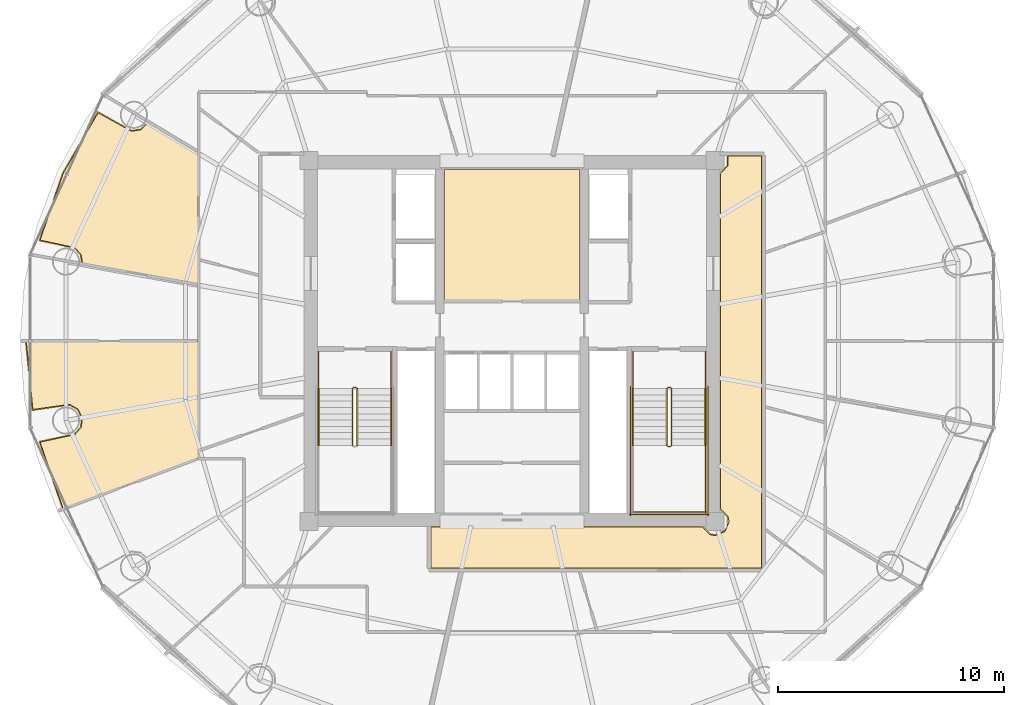
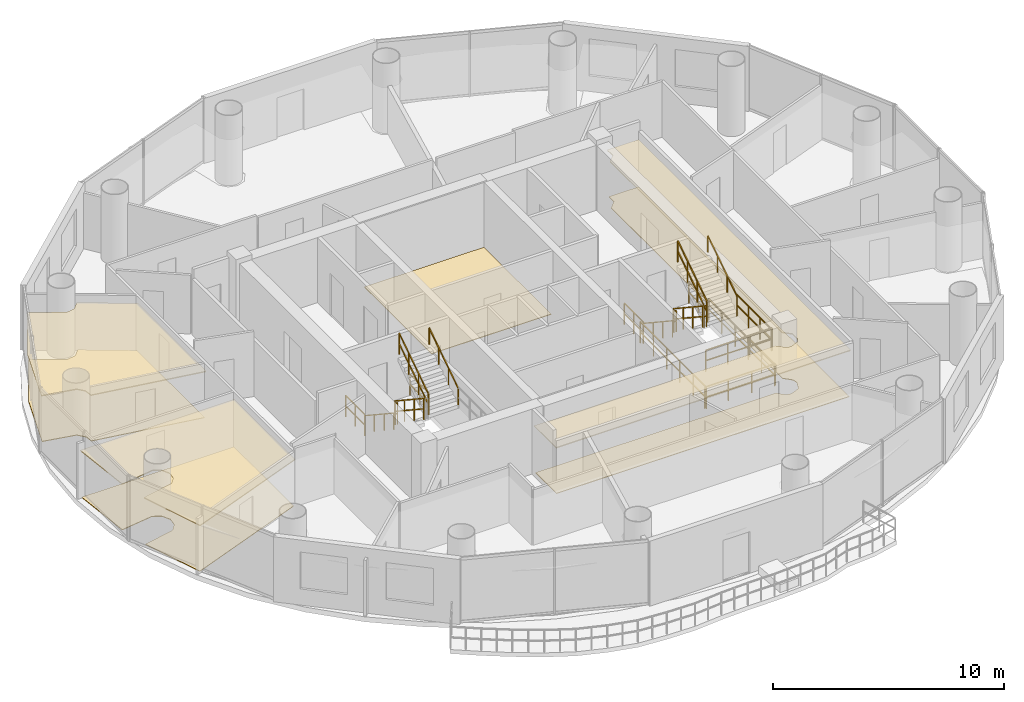
# One storey, part 25 of 26: 20 railings, 7 coverings.
"""IFC4 building model written with IfcOpenShell, lengths in metres."""

from ifc_helpers import new_model, si_unit, direction, frame, origin, origin_2d, place, context, subcontext, project, spatial, polyline, rectangle, outline, extrude, material, layer, layer_set, type_object, element, save


model = new_model("IFC4")

# Units and contexts
model_context = context("Model", 3, precision=1e-05, world=origin(), true_north=direction((-0.2419218956, 0.970295726276)))
body_context = subcontext(model_context, "Body", "Model", "MODEL_VIEW")
ifc_project = project(units=[si_unit("LENGTHUNIT", "METRE"), si_unit("AREAUNIT", "SQUARE_METRE"), si_unit("VOLUMEUNIT", "CUBIC_METRE"), si_unit("PLANEANGLEUNIT", "RADIAN"), si_unit("MASSUNIT", "GRAM", prefix="KILO")], contexts=[model_context])

# Site, building, storey
site_placement = place(None, origin())
site = spatial("IfcSite", under=ifc_project, at=site_placement, CompositionType="ELEMENT")
building_placement = place(site_placement, origin())
building = spatial("IfcBuilding", under=site, at=building_placement, Name="Cobrevalo Terracotta Tower", CompositionType="ELEMENT")
storey_placement = place(building_placement, frame((0.0, 0.0, 228.199951171875)))
storey = spatial("IfcBuildingStorey", under=building, at=storey_placement, Name="L60", CompositionType="ELEMENT", Elevation=228.199951171875)

# Coverings
ifc_material_1 = material(Name="Engineered Brazilian hardwood flooring", Category="wood")
ifc_layer_1 = layer(ifc_material_1, 0.028076171875)
ifc_layer_set_1 = layer_set([ifc_layer_1], Name="Engineered Brazilian hardwood flooring")
covering_type_1 = type_object("IfcCoveringType", Name="Engineered Hardwood Suite Flooring 28", PredefinedType="FLOORING", material=ifc_layer_set_1)
covering_1_placement = place(storey_placement, origin())
element("IfcCovering", 1, at=covering_1_placement, inside=storey, type_object=covering_type_1, Name="Flat L60A Principal Guest Bedroom floor finish", PredefinedType="FLOORING", context=body_context, shape_type="SweptSolid", body=[
    extrude(outline(polyline([(18.117919921875, 34.23095703125), (19.662109375, 36.91357421875), (21.1376953125, 36.095947265625), (21.562744140625, 36.1591796875), (21.903564453125, 36.495849609375), (24.094970703125, 35.172607421875), (24.094970703125, 29.31982421875), (18.9697265625, 30.240966796875), (18.9150390625, 30.6181640625), (18.635986328125, 30.94482421875), (17.09228515625, 31.277099609375), (18.117919921875, 34.23095703125)])), origin(), (0.0, 0.0, 1.0), 0.030029296875),
])
covering_2_placement = place(storey_placement, origin())
element("IfcCovering", 2, at=covering_2_placement, inside=storey, type_object=covering_type_1, Name="Flat L60A Principal Guest Bedroom floor finish", PredefinedType="FLOORING", context=body_context, shape_type="SweptSolid", body=[
    extrude(outline(polyline([(18.114501953125, 19.3779296875), (17.09228515625, 22.322998046875), (18.635986328125, 22.655029296875), (18.9150390625, 22.981689453125), (18.9658203125, 23.408447265625), (18.770751953125, 23.791259765625), (18.39599609375, 24.00146484375), (16.7734375, 23.76953125), (16.4814453125, 26.780029296875), (24.094970703125, 26.780029296875), (24.094970703125, 21.616455078125), (18.114501953125, 19.3779296875)])), origin(), (0.0, 0.0, 1.0), 0.030029296875),
])
ifc_material_2 = material(Name="Honed terracotta and granite tile", Category="masonry")
ifc_layer_2 = layer(ifc_material_2, 0.034912109375)
ifc_layer_set_2 = layer_set([ifc_layer_2], Name="Honed terracotta and granite tile")
covering_type_2 = type_object("IfcCoveringType", Name="Honed Terracotta & Granite Interior Flooring 35", PredefinedType="FLOORING", material=ifc_layer_set_2)
covering_3_placement = place(storey_placement, origin())
element("IfcCovering", 3, at=covering_3_placement, inside=storey, type_object=covering_type_2, Name="Floor Electrical Switchroom floor finish", PredefinedType="FLOORING", context=body_context, shape_type="SweptSolid", body=[
    extrude(outline(polyline([(35.010009765625, 34.405029296875), (40.989990234375, 34.405029296875), (40.989990234375, 28.580078125), (35.010009765625, 28.580078125), (35.010009765625, 34.405029296875)])), origin(), (0.0, 0.0, 1.0), 0.030029296875),
])
covering_4_placement = place(storey_placement, origin())
element("IfcCovering", 4, at=covering_4_placement, inside=storey, type_object=covering_type_2, Name="L60 Residential Floor Corridor 1 floor finish", PredefinedType="FLOORING", context=body_context, shape_type="SweptSolid", body=[
    extrude(outline(polyline([(34.419921875, 18.554931640625), (46.431884765625, 18.554931640625), (46.7626953125, 18.226806640625), (47.0, 18.1796875), (47.438720703125, 18.361328125), (47.620361328125, 18.800048828125), (47.5732421875, 19.037353515625), (47.2451171875, 19.3681640625), (47.2451171875, 34.23193359375), (47.5732421875, 34.5625), (47.57958984375, 35.0048828125), (49.054931640625, 35.0048828125), (49.054931640625, 16.7451171875), (34.419921875, 16.7451171875), (34.419921875, 18.554931640625)])), origin(), (0.0, 0.0, 1.0), 0.030029296875),
])
ifc_material_3 = material(Name="Acoustic perforated gypsum ceiling", Category="gypsum")
ifc_layer_3 = layer(ifc_material_3, 0.050048828125)
ifc_layer_set_3 = layer_set([ifc_layer_3], Name="Acoustic perforated gypsum ceiling")
covering_type_3 = type_object("IfcCoveringType", Name="Perforated Acoustic Gypsum Ceiling 50", PredefinedType="CEILING", material=ifc_layer_set_3)
covering_5_placement = place(storey_placement, frame((0.0, 0.0, 2.445068359375)))
element("IfcCovering", 5, at=covering_5_placement, inside=storey, type_object=covering_type_3, Name="L60 Residential Floor Corridor 1 acoustic ceiling", PredefinedType="CEILING", context=body_context, shape_type="SweptSolid", body=[
    extrude(outline(polyline([(34.375, 18.60009765625), (46.4560546875, 18.60009765625), (46.780029296875, 18.269287109375), (47.0, 18.2255859375), (47.40625, 18.393798828125), (47.53076171875, 18.580078125), (47.53076171875, 19.019775390625), (47.199951171875, 19.343994140625), (47.199951171875, 34.255859375), (47.53076171875, 34.580078125), (47.524658203125, 35.050048828125), (49.10009765625, 35.050048828125), (49.10009765625, 16.699951171875), (34.375, 16.699951171875), (34.375, 18.60009765625)])), origin(), (0.0, 0.0, 1.0), 0.050048828125),
])
covering_6_placement = place(storey_placement, frame((0.0, 0.0, 2.445068359375)))
element("IfcCovering", 6, at=covering_6_placement, inside=storey, type_object=covering_type_3, Name="Flat L60A Principal Guest Bedroom acoustic ceiling", PredefinedType="CEILING", context=body_context, shape_type="SweptSolid", body=[
    extrude(outline(polyline([(18.076904296875, 34.249755859375), (19.650146484375, 36.97314453125), (21.144287109375, 36.140625), (21.54345703125, 36.199951171875), (21.884033203125, 36.56005859375), (24.139892578125, 35.197998046875), (24.139892578125, 29.265869140625), (18.921630859375, 30.203857421875), (18.873779296875, 30.60009765625), (18.611572265625, 30.90673828125), (17.038330078125, 31.240966796875), (18.076904296875, 34.249755859375)])), origin(), (0.0, 0.0, 1.0), 0.050048828125),
])
covering_7_placement = place(storey_placement, frame((0.0, 0.0, 2.445068359375)))
element("IfcCovering", 7, at=covering_7_placement, inside=storey, type_object=covering_type_3, Name="Flat L60A Principal Guest Bedroom acoustic ceiling", PredefinedType="CEILING", context=body_context, shape_type="SweptSolid", body=[
    extrude(outline(polyline([(18.088134765625, 19.320068359375), (17.038330078125, 22.359130859375), (18.611572265625, 22.693359375), (18.873779296875, 23.0), (18.92138671875, 23.400634765625), (18.73828125, 23.760009765625), (18.386474609375, 23.957275390625), (16.73876953125, 23.717529296875), (16.43310546875, 26.824951171875), (24.139892578125, 26.824951171875), (24.139892578125, 21.58544921875), (18.088134765625, 19.320068359375)])), origin(), (0.0, 0.0, 1.0), 0.050048828125),
])

# Railings
ifc_material_4 = material(Name="Brushed stainless steel", Category="steel")
railing_type_1 = type_object("IfcRailingType", Name="Stainless Steel Stair Handrail 900", PredefinedType="HANDRAIL", material=ifc_material_4)
railing_1_placement = place(storey_placement, frame((29.425048828125, 24.699951171875, 0.18505859375)))
element("IfcRailing", 8, at=railing_1_placement, inside=storey, type_object=railing_type_1, Name="L60 ST-1 stair handrail 1", PredefinedType="HANDRAIL", context=body_context, shape_type="SweptSolid", body=[
    extrude(rectangle(XDim=0.048095703125, YDim=0.048095703125, at=origin_2d()), frame((0.0, 0.0, 0.8759765625), z_axis=(0.0, -0.834331337432, 0.55126329406), x_axis=(1.0, 0.0, 0.0)), (0.0, 0.0, 1.0), 3.0205078125),
    extrude(rectangle(XDim=0.0419921875, YDim=0.0419921875, at=origin_2d()), origin(), (0.0, 0.0, 1.0), 0.851806640625),
    extrude(rectangle(XDim=0.0419921875, YDim=0.0419921875, at=origin_2d()), frame((0.0, -0.840087890625, 0.554931640625)), (0.0, 0.0, 1.0), 0.851806640625),
    extrude(rectangle(XDim=0.0419921875, YDim=0.0419921875, at=origin_2d()), frame((0.0, -1.679931640625, 1.110107421875)), (0.0, 0.0, 1.0), 0.851806640625),
    extrude(rectangle(XDim=0.0419921875, YDim=0.0419921875, at=origin_2d()), frame((0.0, -2.52001953125, 1.6650390625)), (0.0, 0.0, 1.0), 0.851806640625),
])
railing_2_placement = place(storey_placement, frame((32.64501953125, 22.179931640625, 2.03515625)))
element("IfcRailing", 9, at=railing_2_placement, inside=storey, type_object=railing_type_1, Name="L60 ST-1 stair handrail 2", PredefinedType="HANDRAIL", context=body_context, shape_type="SweptSolid", body=[
    extrude(rectangle(XDim=0.048095703125, YDim=0.048095703125, at=origin_2d()), frame((0.0, 0.0, 0.8759765625), z_axis=(0.0, 0.83436851402, 0.551207023552), x_axis=(-1.0, 0.0, 0.0)), (0.0, 0.0, 1.0), 3.020263671875),
    extrude(rectangle(XDim=0.0419921875, YDim=0.0419921875, at=origin_2d()), origin(), (0.0, 0.0, 1.0), 0.851806640625),
    extrude(rectangle(XDim=0.0419921875, YDim=0.0419921875, at=origin_2d()), frame((0.0, 0.840087890625, 0.554931640625)), (0.0, 0.0, 1.0), 0.851806640625),
    extrude(rectangle(XDim=0.0419921875, YDim=0.0419921875, at=origin_2d()), frame((0.0, 1.679931640625, 1.10986328125)), (0.0, 0.0, 1.0), 0.851806640625),
    extrude(rectangle(XDim=0.0419921875, YDim=0.0419921875, at=origin_2d()), frame((0.0, 2.52001953125, 1.664794921875)), (0.0, 0.0, 1.0), 0.851806640625),
])
railing_3_placement = place(storey_placement, frame((43.35498046875, 24.699951171875, 0.18505859375)))
element("IfcRailing", 10, at=railing_3_placement, inside=storey, type_object=railing_type_1, Name="L60 ST-2 stair handrail 1", PredefinedType="HANDRAIL", context=body_context, shape_type="SweptSolid", body=[
    extrude(rectangle(XDim=0.048095703125, YDim=0.048095703125, at=origin_2d()), frame((0.0, 0.0, 0.8759765625), z_axis=(0.0, -0.834331337432, 0.55126329406), x_axis=(1.0, 0.0, 0.0)), (0.0, 0.0, 1.0), 3.0205078125),
    extrude(rectangle(XDim=0.0419921875, YDim=0.0419921875, at=origin_2d()), origin(), (0.0, 0.0, 1.0), 0.851806640625),
    extrude(rectangle(XDim=0.0419921875, YDim=0.0419921875, at=origin_2d()), frame((0.0, -0.840087890625, 0.554931640625)), (0.0, 0.0, 1.0), 0.851806640625),
    extrude(rectangle(XDim=0.0419921875, YDim=0.0419921875, at=origin_2d()), frame((0.0, -1.679931640625, 1.110107421875)), (0.0, 0.0, 1.0), 0.851806640625),
    extrude(rectangle(XDim=0.0419921875, YDim=0.0419921875, at=origin_2d()), frame((0.0, -2.52001953125, 1.6650390625)), (0.0, 0.0, 1.0), 0.851806640625),
])
railing_4_placement = place(storey_placement, frame((46.574951171875, 22.179931640625, 2.03515625)))
element("IfcRailing", 11, at=railing_4_placement, inside=storey, type_object=railing_type_1, Name="L60 ST-2 stair handrail 2", PredefinedType="HANDRAIL", context=body_context, shape_type="SweptSolid", body=[
    extrude(rectangle(XDim=0.048095703125, YDim=0.048095703125, at=origin_2d()), frame((0.0, 0.0, 0.8759765625), z_axis=(0.0, 0.83436851402, 0.551207023552), x_axis=(-1.0, 0.0, 0.0)), (0.0, 0.0, 1.0), 3.020263671875),
    extrude(rectangle(XDim=0.0419921875, YDim=0.0419921875, at=origin_2d()), origin(), (0.0, 0.0, 1.0), 0.851806640625),
    extrude(rectangle(XDim=0.0419921875, YDim=0.0419921875, at=origin_2d()), frame((0.0, 0.840087890625, 0.554931640625)), (0.0, 0.0, 1.0), 0.851806640625),
    extrude(rectangle(XDim=0.0419921875, YDim=0.0419921875, at=origin_2d()), frame((0.0, 1.679931640625, 1.10986328125)), (0.0, 0.0, 1.0), 0.851806640625),
    extrude(rectangle(XDim=0.0419921875, YDim=0.0419921875, at=origin_2d()), frame((0.0, 2.52001953125, 1.664794921875)), (0.0, 0.0, 1.0), 0.851806640625),
])
ifc_material_5 = material(Name="Painted galvanized steel", Category="steel")
railing_type_2 = type_object("IfcRailingType", Name="Stair Well Guard Balustrade 1150", PredefinedType="GUARDRAIL", material=ifc_material_5)
railing_5_placement = place(storey_placement, frame((30.925048828125, 24.699951171875, 0.18505859375)))
element("IfcRailing", 12, at=railing_5_placement, inside=storey, type_object=railing_type_2, Name="L60 ST-1 stair guard 1", PredefinedType="GUARDRAIL", context=body_context, shape_type="SweptSolid", body=[
    extrude(rectangle(XDim=0.048095703125, YDim=0.048095703125, at=origin_2d()), frame((0.0, 0.0, 1.1259765625), z_axis=(0.0, -0.834331337432, 0.55126329406), x_axis=(1.0, 0.0, 0.0)), (0.0, 0.0, 1.0), 3.0205078125),
    extrude(rectangle(XDim=0.048095703125, YDim=0.048095703125, at=origin_2d()), frame((0.0, 0.0, 0.574951171875), z_axis=(0.0, -0.834331337432, 0.55126329406), x_axis=(1.0, 0.0, 0.0)), (0.0, 0.0, 1.0), 3.0205078125),
    extrude(rectangle(XDim=0.0419921875, YDim=0.0419921875, at=origin_2d()), origin(), (0.0, 0.0, 1.0), 1.101806640625),
    extrude(rectangle(XDim=0.0419921875, YDim=0.0419921875, at=origin_2d()), frame((0.0, -0.840087890625, 0.554931640625)), (0.0, 0.0, 1.0), 1.101806640625),
    extrude(rectangle(XDim=0.0419921875, YDim=0.0419921875, at=origin_2d()), frame((0.0, -1.679931640625, 1.110107421875)), (0.0, 0.0, 1.0), 1.101806640625),
    extrude(rectangle(XDim=0.0419921875, YDim=0.0419921875, at=origin_2d()), frame((0.0, -2.52001953125, 1.6650390625)), (0.0, 0.0, 1.0), 1.101806640625),
])
railing_6_placement = place(storey_placement, frame((31.14501953125, 22.179931640625, 2.03515625)))
element("IfcRailing", 13, at=railing_6_placement, inside=storey, type_object=railing_type_2, Name="L60 ST-1 stair guard 6", PredefinedType="GUARDRAIL", context=body_context, shape_type="SweptSolid", body=[
    extrude(rectangle(XDim=0.048095703125, YDim=0.048095703125, at=origin_2d()), frame((0.0, 0.0, 1.1259765625), z_axis=(0.0, 0.83436851402, 0.551207023552), x_axis=(-1.0, 0.0, 0.0)), (0.0, 0.0, 1.0), 3.020263671875),
    extrude(rectangle(XDim=0.048095703125, YDim=0.048095703125, at=origin_2d()), frame((0.0, 0.0, 0.574951171875), z_axis=(0.0, 0.83436851402, 0.551207023552), x_axis=(-1.0, 0.0, 0.0)), (0.0, 0.0, 1.0), 3.020263671875),
    extrude(rectangle(XDim=0.0419921875, YDim=0.0419921875, at=origin_2d()), origin(), (0.0, 0.0, 1.0), 1.101806640625),
    extrude(rectangle(XDim=0.0419921875, YDim=0.0419921875, at=origin_2d()), frame((0.0, 0.840087890625, 0.554931640625)), (0.0, 0.0, 1.0), 1.101806640625),
    extrude(rectangle(XDim=0.0419921875, YDim=0.0419921875, at=origin_2d()), frame((0.0, 1.679931640625, 1.10986328125)), (0.0, 0.0, 1.0), 1.101806640625),
    extrude(rectangle(XDim=0.0419921875, YDim=0.0419921875, at=origin_2d()), frame((0.0, 2.52001953125, 1.664794921875)), (0.0, 0.0, 1.0), 1.101806640625),
])
railing_7_placement = place(storey_placement, frame((30.97509765625, 24.75, 0.0)))
element("IfcRailing", 14, at=railing_7_placement, inside=storey, type_object=railing_type_2, Name="L60 ST-1 stair guard 7", PredefinedType="GUARDRAIL", context=body_context, shape_type="SweptSolid", body=[
    extrude(rectangle(XDim=0.048095703125, YDim=0.048095703125, at=origin_2d()), frame((0.0, 0.0, 1.1259765625), z_axis=(1.0, 0.0, 0.0), x_axis=(0.0, 1.0, 0.0)), (0.0, 0.0, 1.0), 0.119873046875),
    extrude(rectangle(XDim=0.048095703125, YDim=0.048095703125, at=origin_2d()), frame((0.0, 0.0, 0.574951171875), z_axis=(1.0, 0.0, 0.0), x_axis=(0.0, 1.0, 0.0)), (0.0, 0.0, 1.0), 0.119873046875),
    extrude(rectangle(XDim=0.0419921875, YDim=0.0419921875, at=origin_2d()), origin(), (0.0, 0.0, 1.0), 1.101806640625),
    extrude(rectangle(XDim=0.0419921875, YDim=0.0419921875, at=origin_2d()), frame((0.119873046875, 0.0, 0.0)), (0.0, 0.0, 1.0), 1.101806640625),
])
for number, where, name in (
    (15, (29.425048828125, 26.35009765625, 0.0), "L60 ST-1 stair guard 8"),
    (16, (32.64501953125, 26.35009765625, 0.0), "L60 ST-1 stair guard 9"),
):
    element("IfcRailing", number, at=place(storey_placement, frame(where)), inside=storey, type_object=railing_type_2, Name=name, PredefinedType="GUARDRAIL", context=body_context, shape_type="SweptSolid", body=[
        extrude(rectangle(XDim=0.048095703125, YDim=0.048095703125, at=origin_2d()), frame((0.0, 0.0, 1.1259765625), z_axis=(0.0, -1.0, 0.0), x_axis=(1.0, 0.0, 0.0)), (0.0, 0.0, 1.0), 1.650146484375),
        extrude(rectangle(XDim=0.048095703125, YDim=0.048095703125, at=origin_2d()), frame((0.0, 0.0, 0.574951171875), z_axis=(0.0, -1.0, 0.0), x_axis=(1.0, 0.0, 0.0)), (0.0, 0.0, 1.0), 1.650146484375),
        extrude(rectangle(XDim=0.0419921875, YDim=0.0419921875, at=origin_2d()), origin(), (0.0, 0.0, 1.0), 1.101806640625),
        extrude(rectangle(XDim=0.0419921875, YDim=0.0419921875, at=origin_2d()), frame((0.0, -0.8251953125, 0.0)), (0.0, 0.0, 1.0), 1.101806640625),
        extrude(rectangle(XDim=0.0419921875, YDim=0.0419921875, at=origin_2d()), frame((0.0, -1.650146484375, 0.0)), (0.0, 0.0, 1.0), 1.101806640625),
    ])
railing_8_placement = place(storey_placement, frame((44.85498046875, 24.699951171875, 0.18505859375)))
element("IfcRailing", 17, at=railing_8_placement, inside=storey, type_object=railing_type_2, Name="L60 ST-2 stair guard 1", PredefinedType="GUARDRAIL", context=body_context, shape_type="SweptSolid", body=[
    extrude(rectangle(XDim=0.048095703125, YDim=0.048095703125, at=origin_2d()), frame((0.0, 0.0, 1.1259765625), z_axis=(0.0, -0.834331337432, 0.55126329406), x_axis=(1.0, 0.0, 0.0)), (0.0, 0.0, 1.0), 3.0205078125),
    extrude(rectangle(XDim=0.048095703125, YDim=0.048095703125, at=origin_2d()), frame((0.0, 0.0, 0.574951171875), z_axis=(0.0, -0.834331337432, 0.55126329406), x_axis=(1.0, 0.0, 0.0)), (0.0, 0.0, 1.0), 3.0205078125),
    extrude(rectangle(XDim=0.0419921875, YDim=0.0419921875, at=origin_2d()), origin(), (0.0, 0.0, 1.0), 1.101806640625),
    extrude(rectangle(XDim=0.0419921875, YDim=0.0419921875, at=origin_2d()), frame((0.0, -0.840087890625, 0.554931640625)), (0.0, 0.0, 1.0), 1.101806640625),
    extrude(rectangle(XDim=0.0419921875, YDim=0.0419921875, at=origin_2d()), frame((0.0, -1.679931640625, 1.110107421875)), (0.0, 0.0, 1.0), 1.101806640625),
    extrude(rectangle(XDim=0.0419921875, YDim=0.0419921875, at=origin_2d()), frame((0.0, -2.52001953125, 1.6650390625)), (0.0, 0.0, 1.0), 1.101806640625),
])
railing_9_placement = place(storey_placement, frame((44.905029296875, 22.1298828125, 1.85009765625)))
element("IfcRailing", 18, at=railing_9_placement, inside=storey, type_object=railing_type_2, Name="L60 ST-2 stair guard 2", PredefinedType="GUARDRAIL", context=body_context, shape_type="SweptSolid", body=[
    extrude(rectangle(XDim=0.048095703125, YDim=0.048095703125, at=origin_2d()), frame((0.0, 0.0, 1.1259765625), z_axis=(1.0, 0.0, 0.0), x_axis=(0.0, 1.0, 0.0)), (0.0, 0.0, 1.0), 0.119873046875),
    extrude(rectangle(XDim=0.048095703125, YDim=0.048095703125, at=origin_2d()), frame((0.0, 0.0, 0.574951171875), z_axis=(1.0, 0.0, 0.0), x_axis=(0.0, 1.0, 0.0)), (0.0, 0.0, 1.0), 0.119873046875),
    extrude(rectangle(XDim=0.0419921875, YDim=0.0419921875, at=origin_2d()), origin(), (0.0, 0.0, 1.0), 1.101806640625),
    extrude(rectangle(XDim=0.0419921875, YDim=0.0419921875, at=origin_2d()), frame((0.119873046875, 0.0, 0.0)), (0.0, 0.0, 1.0), 1.101806640625),
])
railing_10_placement = place(storey_placement, frame((46.574951171875, 22.179931640625, 1.85009765625)))
element("IfcRailing", 19, at=railing_10_placement, inside=storey, type_object=railing_type_2, Name="L60 ST-2 stair guard 4", PredefinedType="GUARDRAIL", context=body_context, shape_type="SweptSolid", body=[
    extrude(rectangle(XDim=0.048095703125, YDim=0.048095703125, at=origin_2d()), frame((0.0, 0.0, 1.1259765625), z_axis=(0.0, -1.0, 0.0), x_axis=(1.0, 0.0, 0.0)), (0.0, 0.0, 1.0), 3.0048828125),
    extrude(rectangle(XDim=0.048095703125, YDim=0.048095703125, at=origin_2d()), frame((0.0, 0.0, 0.574951171875), z_axis=(0.0, -1.0, 0.0), x_axis=(1.0, 0.0, 0.0)), (0.0, 0.0, 1.0), 3.0048828125),
    extrude(rectangle(XDim=0.0419921875, YDim=0.0419921875, at=origin_2d()), origin(), (0.0, 0.0, 1.0), 1.101806640625),
    extrude(rectangle(XDim=0.0419921875, YDim=0.0419921875, at=origin_2d()), frame((0.0, -1.001708984375, 0.0)), (0.0, 0.0, 1.0), 1.101806640625),
    extrude(rectangle(XDim=0.0419921875, YDim=0.0419921875, at=origin_2d()), frame((0.0, -2.003173828125, 0.0)), (0.0, 0.0, 1.0), 1.101806640625),
    extrude(rectangle(XDim=0.0419921875, YDim=0.0419921875, at=origin_2d()), frame((0.0, -3.0048828125, 0.0)), (0.0, 0.0, 1.0), 1.101806640625),
])
railing_11_placement = place(storey_placement, frame((43.304931640625, 19.22509765625, 1.85009765625)))
element("IfcRailing", 20, at=railing_11_placement, inside=storey, type_object=railing_type_2, Name="L60 ST-2 stair guard 5", PredefinedType="GUARDRAIL", context=body_context, shape_type="SweptSolid", body=[
    extrude(rectangle(XDim=0.048095703125, YDim=0.048095703125, at=origin_2d()), frame((0.0, 0.0, 1.1259765625), z_axis=(1.0, 0.0, 0.0), x_axis=(0.0, 1.0, 0.0)), (0.0, 0.0, 1.0), 3.320068359375),
    extrude(rectangle(XDim=0.048095703125, YDim=0.048095703125, at=origin_2d()), frame((0.0, 0.0, 0.574951171875), z_axis=(1.0, 0.0, 0.0), x_axis=(0.0, 1.0, 0.0)), (0.0, 0.0, 1.0), 3.320068359375),
    extrude(rectangle(XDim=0.0419921875, YDim=0.0419921875, at=origin_2d()), origin(), (0.0, 0.0, 1.0), 1.101806640625),
    extrude(rectangle(XDim=0.0419921875, YDim=0.0419921875, at=origin_2d()), frame((1.106689453125, 0.0, 0.0)), (0.0, 0.0, 1.0), 1.101806640625),
    extrude(rectangle(XDim=0.0419921875, YDim=0.0419921875, at=origin_2d()), frame((2.21337890625, 0.0, 0.0)), (0.0, 0.0, 1.0), 1.101806640625),
    extrude(rectangle(XDim=0.0419921875, YDim=0.0419921875, at=origin_2d()), frame((3.320068359375, 0.0, 0.0)), (0.0, 0.0, 1.0), 1.101806640625),
])
railing_12_placement = place(storey_placement, frame((45.074951171875, 22.179931640625, 2.03515625)))
element("IfcRailing", 21, at=railing_12_placement, inside=storey, type_object=railing_type_2, Name="L60 ST-2 stair guard 6", PredefinedType="GUARDRAIL", context=body_context, shape_type="SweptSolid", body=[
    extrude(rectangle(XDim=0.048095703125, YDim=0.048095703125, at=origin_2d()), frame((0.0, 0.0, 1.1259765625), z_axis=(0.0, 0.83436851402, 0.551207023552), x_axis=(-1.0, 0.0, 0.0)), (0.0, 0.0, 1.0), 3.020263671875),
    extrude(rectangle(XDim=0.048095703125, YDim=0.048095703125, at=origin_2d()), frame((0.0, 0.0, 0.574951171875), z_axis=(0.0, 0.83436851402, 0.551207023552), x_axis=(-1.0, 0.0, 0.0)), (0.0, 0.0, 1.0), 3.020263671875),
    extrude(rectangle(XDim=0.0419921875, YDim=0.0419921875, at=origin_2d()), origin(), (0.0, 0.0, 1.0), 1.101806640625),
    extrude(rectangle(XDim=0.0419921875, YDim=0.0419921875, at=origin_2d()), frame((0.0, 0.840087890625, 0.554931640625)), (0.0, 0.0, 1.0), 1.101806640625),
    extrude(rectangle(XDim=0.0419921875, YDim=0.0419921875, at=origin_2d()), frame((0.0, 1.679931640625, 1.10986328125)), (0.0, 0.0, 1.0), 1.101806640625),
    extrude(rectangle(XDim=0.0419921875, YDim=0.0419921875, at=origin_2d()), frame((0.0, 2.52001953125, 1.664794921875)), (0.0, 0.0, 1.0), 1.101806640625),
])
railing_13_placement = place(storey_placement, frame((44.905029296875, 24.75, 0.0)))
element("IfcRailing", 22, at=railing_13_placement, inside=storey, type_object=railing_type_2, Name="L60 ST-2 stair guard 7", PredefinedType="GUARDRAIL", context=body_context, shape_type="SweptSolid", body=[
    extrude(rectangle(XDim=0.048095703125, YDim=0.048095703125, at=origin_2d()), frame((0.0, 0.0, 1.1259765625), z_axis=(1.0, 0.0, 0.0), x_axis=(0.0, 1.0, 0.0)), (0.0, 0.0, 1.0), 0.119873046875),
    extrude(rectangle(XDim=0.048095703125, YDim=0.048095703125, at=origin_2d()), frame((0.0, 0.0, 0.574951171875), z_axis=(1.0, 0.0, 0.0), x_axis=(0.0, 1.0, 0.0)), (0.0, 0.0, 1.0), 0.119873046875),
    extrude(rectangle(XDim=0.0419921875, YDim=0.0419921875, at=origin_2d()), origin(), (0.0, 0.0, 1.0), 1.101806640625),
    extrude(rectangle(XDim=0.0419921875, YDim=0.0419921875, at=origin_2d()), frame((0.119873046875, 0.0, 0.0)), (0.0, 0.0, 1.0), 1.101806640625),
])
for number, where, name in (
    (23, (43.35498046875, 26.35009765625, 0.0), "L60 ST-2 stair guard 8"),
    (24, (46.574951171875, 26.35009765625, 0.0), "L60 ST-2 stair guard 9"),
):
    element("IfcRailing", number, at=place(storey_placement, frame(where)), inside=storey, type_object=railing_type_2, Name=name, PredefinedType="GUARDRAIL", context=body_context, shape_type="SweptSolid", body=[
        extrude(rectangle(XDim=0.048095703125, YDim=0.048095703125, at=origin_2d()), frame((0.0, 0.0, 1.1259765625), z_axis=(0.0, -1.0, 0.0), x_axis=(1.0, 0.0, 0.0)), (0.0, 0.0, 1.0), 1.650146484375),
        extrude(rectangle(XDim=0.048095703125, YDim=0.048095703125, at=origin_2d()), frame((0.0, 0.0, 0.574951171875), z_axis=(0.0, -1.0, 0.0), x_axis=(1.0, 0.0, 0.0)), (0.0, 0.0, 1.0), 1.650146484375),
        extrude(rectangle(XDim=0.0419921875, YDim=0.0419921875, at=origin_2d()), origin(), (0.0, 0.0, 1.0), 1.101806640625),
        extrude(rectangle(XDim=0.0419921875, YDim=0.0419921875, at=origin_2d()), frame((0.0, -0.8251953125, 0.0)), (0.0, 0.0, 1.0), 1.101806640625),
        extrude(rectangle(XDim=0.0419921875, YDim=0.0419921875, at=origin_2d()), frame((0.0, -1.650146484375, 0.0)), (0.0, 0.0, 1.0), 1.101806640625),
    ])
for number, where, name in (
    (25, (43.2548828125, 24.800048828125, 0.0), "L60 ST-2 stair guard 10"),
    (26, (46.675048828125, 24.800048828125, 0.0), "L60 ST-2 stair guard 11"),
):
    element("IfcRailing", number, at=place(storey_placement, frame(where)), inside=storey, type_object=railing_type_2, Name=name, PredefinedType="GUARDRAIL", context=body_context, shape_type="SweptSolid", body=[
        extrude(rectangle(XDim=0.048095703125, YDim=0.048095703125, at=origin_2d()), frame((0.0, 0.0, 1.1259765625), z_axis=(0.0, -1.0, 0.0), x_axis=(1.0, 0.0, 0.0)), (0.0, 0.0, 1.0), 5.72509765625),
        extrude(rectangle(XDim=0.048095703125, YDim=0.048095703125, at=origin_2d()), frame((0.0, 0.0, 0.574951171875), z_axis=(0.0, -1.0, 0.0), x_axis=(1.0, 0.0, 0.0)), (0.0, 0.0, 1.0), 5.72509765625),
        extrude(rectangle(XDim=0.0419921875, YDim=0.0419921875, at=origin_2d()), origin(), (0.0, 0.0, 1.0), 1.101806640625),
        extrude(rectangle(XDim=0.0419921875, YDim=0.0419921875, at=origin_2d()), frame((0.0, -1.14501953125, 0.0)), (0.0, 0.0, 1.0), 1.101806640625),
        extrude(rectangle(XDim=0.0419921875, YDim=0.0419921875, at=origin_2d()), frame((0.0, -2.2900390625, 0.0)), (0.0, 0.0, 1.0), 1.101806640625),
        extrude(rectangle(XDim=0.0419921875, YDim=0.0419921875, at=origin_2d()), frame((0.0, -3.43505859375, 0.0)), (0.0, 0.0, 1.0), 1.101806640625),
        extrude(rectangle(XDim=0.0419921875, YDim=0.0419921875, at=origin_2d()), frame((0.0, -4.580078125, 0.0)), (0.0, 0.0, 1.0), 1.101806640625),
        extrude(rectangle(XDim=0.0419921875, YDim=0.0419921875, at=origin_2d()), frame((0.0, -5.72509765625, 0.0)), (0.0, 0.0, 1.0), 1.101806640625),
    ])
railing_14_placement = place(storey_placement, frame((43.205078125, 19.125, 0.0)))
element("IfcRailing", 27, at=railing_14_placement, inside=storey, type_object=railing_type_2, Name="L60 ST-2 stair guard 12", PredefinedType="GUARDRAIL", context=body_context, shape_type="SweptSolid", body=[
    extrude(rectangle(XDim=0.048095703125, YDim=0.048095703125, at=origin_2d()), frame((0.0, 0.0, 1.1259765625), z_axis=(1.0, 0.0, 0.0), x_axis=(0.0, 1.0, 0.0)), (0.0, 0.0, 1.0), 3.52001953125),
    extrude(rectangle(XDim=0.048095703125, YDim=0.048095703125, at=origin_2d()), frame((0.0, 0.0, 0.574951171875), z_axis=(1.0, 0.0, 0.0), x_axis=(0.0, 1.0, 0.0)), (0.0, 0.0, 1.0), 3.52001953125),
    extrude(rectangle(XDim=0.0419921875, YDim=0.0419921875, at=origin_2d()), origin(), (0.0, 0.0, 1.0), 1.101806640625),
    extrude(rectangle(XDim=0.0419921875, YDim=0.0419921875, at=origin_2d()), frame((1.17333984375, 0.0, 0.0)), (0.0, 0.0, 1.0), 1.101806640625),
    extrude(rectangle(XDim=0.0419921875, YDim=0.0419921875, at=origin_2d()), frame((2.3466796875, 0.0, 0.0)), (0.0, 0.0, 1.0), 1.101806640625),
    extrude(rectangle(XDim=0.0419921875, YDim=0.0419921875, at=origin_2d()), frame((3.52001953125, 0.0, 0.0)), (0.0, 0.0, 1.0), 1.101806640625),
])

save(model, "model.ifc")
